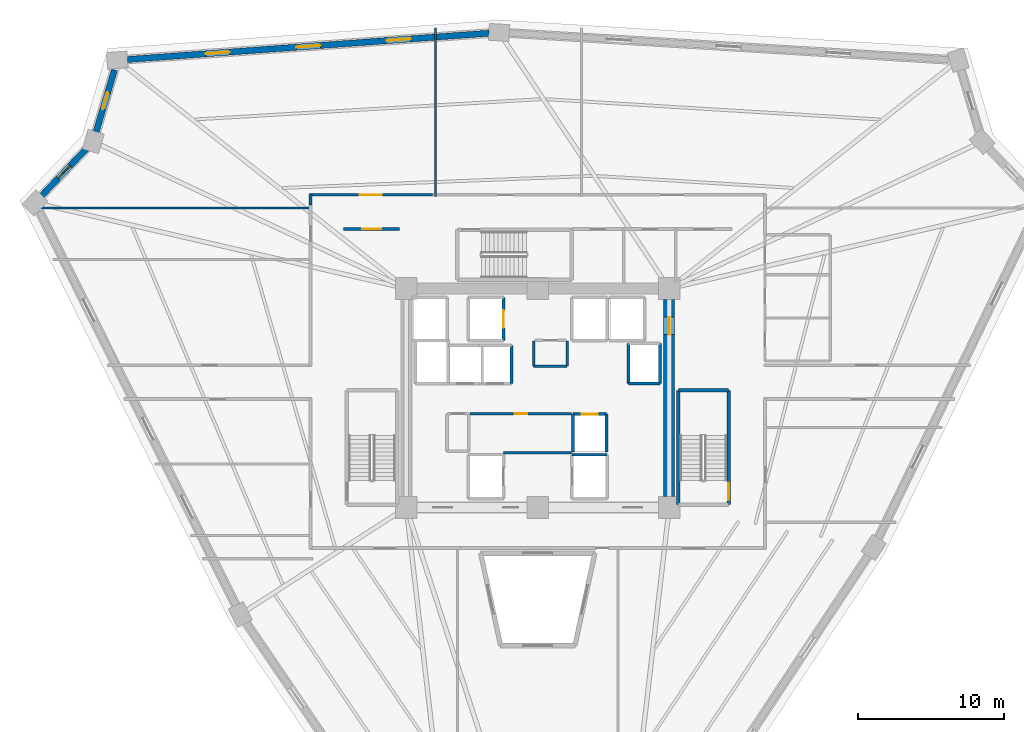
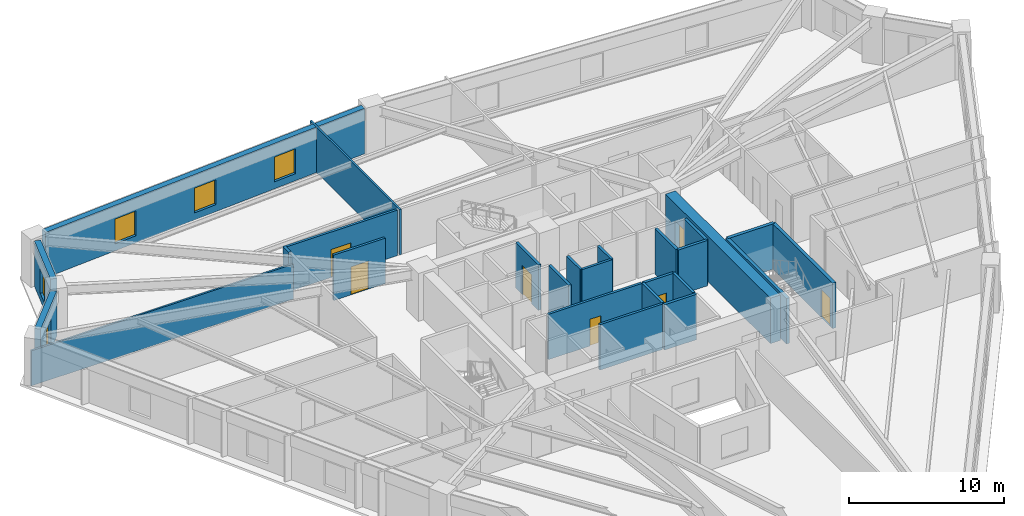
# One storey, part 5 of 8: 26 walls, 7 doors, 5 windows, 12 openings.
"""IFC4 building model written with IfcOpenShell, lengths in metres."""

from ifc_helpers import new_model, si_unit, direction, frame, frame_2d, origin, place, context, subcontext, project, spatial, rectangle, extrude, source, transform, mapped, material, layer, layer_set, type_object, element, fill, save


model = new_model("IFC4")

# Units and contexts
model_context = context("Model", 3, precision=1e-05, world=origin(), true_north=direction((0.0, 1.0)))
body_context = subcontext(model_context, "Body", "Model", "MODEL_VIEW")
ifc_project = project(units=[si_unit("LENGTHUNIT", "METRE"), si_unit("AREAUNIT", "SQUARE_METRE"), si_unit("VOLUMEUNIT", "CUBIC_METRE"), si_unit("PLANEANGLEUNIT", "RADIAN"), si_unit("MASSUNIT", "GRAM", prefix="KILO")], contexts=[model_context])

# Site, building, storey
site_placement = place(None, origin())
site = spatial("IfcSite", under=ifc_project, at=site_placement, CompositionType="ELEMENT")
building_placement = place(site_placement, origin())
building = spatial("IfcBuilding", under=site, at=building_placement, Name="Liaohun Quay Tower", CompositionType="ELEMENT")
storey_placement = place(building_placement, frame((0.0, 0.0, 177.75)))
storey = spatial("IfcBuildingStorey", under=building, at=storey_placement, Name="L46", CompositionType="ELEMENT", Elevation=177.75)

# Wall, opening, door
ifc_material_1 = material(Name="Concrete C60", Category="concrete")
ifc_layer_1 = layer(ifc_material_1, 0.75, Name="Concrete C60", Category="concrete")
ifc_layer_set_1 = layer_set([ifc_layer_1], Name="Concrete C60")
wall_type_1 = type_object("IfcWallType", Name="WAL-COR-Z2", PredefinedType="SHEAR", material=ifc_layer_set_1)
wall_1_placement = place(storey_placement, frame((69.0, 60.75, 0.0), z_axis=(0.0, 0.0, 1.0), x_axis=(0.0, -1.0, 0.0)))
wall_1 = element("IfcWall", 1, at=wall_1_placement, inside=storey, type_object=wall_type_1, Name="L46 Central Core Shear Wall E", PredefinedType="SHEAR", context=body_context, shape_type="SweptSolid", body=[
    extrude(rectangle(XDim=13.5, YDim=0.75, at=frame_2d((6.75, 0.0))), origin(), (0.0, 0.0, 1.0), 3.570068359375),
])
shared_shape_1 = source(origin(), body_context, "Body", "SweptSolid", [
    extrude(rectangle(XDim=1.199951171875, YDim=2.199951171875, at=frame_2d((0.60009765625, 1.10009765625))), frame((0.0, 0.385009765625, 0.0), z_axis=(0.0, -1.0, 0.0), x_axis=(1.0, 0.0, 0.0)), (0.0, 0.0, 1.0), 0.77001953125),
])
opening_1_placement = place(wall_1_placement, frame((1.199951171875, 0.0, 0.0)))
opening_1 = element("IfcOpeningElement", 2, at=opening_1_placement, cuts=wall_1, Name="Opening SD1", PredefinedType="OPENING", context=body_context, shape_type="MappedRepresentation", body=[
    mapped(shared_shape_1, transform((0.0, 0.0, 0.0), x_axis=(1.0, 0.0, 0.0), y_axis=(0.0, 1.0, 0.0), z_axis=(0.0, 0.0, 1.0), scale=1.0)),
])
ifc_material_2 = material(Name="Galvanised steel fire door", Category="steel")
door_type_1 = type_object("IfcDoorType", Name="DOR-STR-1200", OperationType="NOTDEFINED", PredefinedType="DOOR", material=ifc_material_2)
shared_shape_2 = source(origin(), body_context, "Body", "SweptSolid", [
    extrude(rectangle(XDim=1.199951171875, YDim=2.199951171875, at=frame_2d((0.60009765625, 1.10009765625))), frame((0.0, 0.02490234375, 0.0), z_axis=(0.0, -1.0, 0.0), x_axis=(1.0, 0.0, 0.0)), (0.0, 0.0, 1.0), 0.050048828125),
])
door_1_placement = place(opening_1_placement, origin())
door_1 = element("IfcDoor", 3, at=door_1_placement, inside=storey, type_object=door_type_1, Name="L46 North-East Core Lobby Smokeproof Door", OperationType="SINGLE_SWING_LEFT", OverallHeight=2.199951171875, OverallWidth=1.199951171875, PredefinedType="DOOR", context=body_context, shape_type="MappedRepresentation", body=[
    mapped(shared_shape_2, transform((0.0, 0.0, 0.0), x_axis=(1.0, 0.0, 0.0), y_axis=(0.0, 1.0, 0.0), z_axis=(0.0, 0.0, 1.0), scale=1.0)),
])
fill(opening_1, door_1)

# Wall, openings, windows
ifc_material_3 = material(Name="Precast concrete C50 insulated sandwich", Category="concrete")
ifc_layer_2 = layer(ifc_material_3, 0.419921875, Name="Precast concrete C50 insulated sandwich", Category="concrete")
ifc_layer_set_2 = layer_set([ifc_layer_2], Name="Precast concrete C50 insulated sandwich")
wall_type_2 = type_object("IfcWallType", Name="WAL-EXT-Z12", PredefinedType="SOLIDWALL", material=ifc_layer_set_2)
wall_2_placement = place(storey_placement, frame((56.66796875, 78.98291015625, 0.0), z_axis=(0.0, 0.0, 1.0), x_axis=(-0.997363346267, -0.07256965979, 0.0)))
wall_2 = element("IfcWall", 4, at=wall_2_placement, inside=storey, type_object=wall_type_2, Name="L46 Brutalist Precast Pier Wall 07", PredefinedType="SOLIDWALL", context=body_context, shape_type="SweptSolid", body=[
    extrude(rectangle(XDim=24.831298828125, YDim=0.419921875, at=frame_2d((12.41552734375, 0.0))), origin(), (0.0, 0.0, 1.0), 3.570068359375),
])
shared_shape_3 = source(origin(), body_context, "Body", "SweptSolid", [
    extrude(rectangle(XDim=1.64990234375, YDim=1.949951171875, at=frame_2d((0.824951171875, 0.97509765625))), frame((0.0, 0.219970703125, 0.0), z_axis=(0.0, -1.0, 0.0), x_axis=(1.0, 0.0, 0.0)), (0.0, 0.0, 1.0), 0.43994140625),
])
opening_2_placement = place(wall_2_placement, frame((5.383056640625, 0.0, 0.550048828125)))
opening_2 = element("IfcOpeningElement", 5, at=opening_2_placement, cuts=wall_2, Name="Opening W02", PredefinedType="OPENING", context=body_context, shape_type="MappedRepresentation", body=[
    mapped(shared_shape_3, transform((0.0, 0.0, 0.0), x_axis=(1.0, 0.0, 0.0), y_axis=(0.0, 1.0, 0.0), z_axis=(0.0, 0.0, 1.0), scale=1.0)),
])
opening_3_placement = place(wall_2_placement, frame((11.591064453125, 0.0, 0.550048828125)))
opening_3 = element("IfcOpeningElement", 6, at=opening_3_placement, cuts=wall_2, Name="Opening W02", PredefinedType="OPENING", context=body_context, shape_type="MappedRepresentation", body=[
    mapped(shared_shape_3, transform((0.0, 0.0, 0.0), x_axis=(1.0, 0.0, 0.0), y_axis=(0.0, 1.0, 0.0), z_axis=(0.0, 0.0, 1.0), scale=1.0)),
])
opening_4_placement = place(wall_2_placement, frame((17.799072265625, 0.0, 0.550048828125)))
opening_4 = element("IfcOpeningElement", 7, at=opening_4_placement, cuts=wall_2, Name="Opening W02", PredefinedType="OPENING", context=body_context, shape_type="MappedRepresentation", body=[
    mapped(shared_shape_3, transform((0.0, 0.0, 0.0), x_axis=(1.0, 0.0, 0.0), y_axis=(0.0, 1.0, 0.0), z_axis=(0.0, 0.0, 1.0), scale=1.0)),
])
ifc_material_4 = material(Name="Triple Low-E argon glazing in thermally broken aluminium", Category="aluminium")
window_type_1 = type_object("IfcWindowType", Name="WIN-PUN-Z2", PartitioningType="DOUBLE_PANEL_VERTICAL", PredefinedType="WINDOW", material=ifc_material_4)
shared_shape_4 = source(origin(), body_context, "Body", "SweptSolid", [
    extrude(rectangle(XDim=1.64990234375, YDim=1.949951171875, at=frame_2d((0.824951171875, 0.97509765625))), frame((0.0, 0.030029296875, 0.0), z_axis=(0.0, -1.0, 0.0), x_axis=(1.0, 0.0, 0.0)), (0.0, 0.0, 1.0), 0.06005859375),
])
window_1_placement = place(opening_2_placement, origin())
window_1 = element("IfcWindow", 8, at=window_1_placement, inside=storey, type_object=window_type_1, Name="L46 Recessed Cold-Climate Punched Window 07-1", OverallHeight=1.949951171875, OverallWidth=1.64990234375, PartitioningType="DOUBLE_PANEL_VERTICAL", PredefinedType="WINDOW", context=body_context, shape_type="MappedRepresentation", body=[
    mapped(shared_shape_4, transform((0.0, 0.0, 0.0), x_axis=(1.0, 0.0, 0.0), y_axis=(0.0, 1.0, 0.0), z_axis=(0.0, 0.0, 1.0), scale=1.0)),
])
fill(opening_2, window_1)
window_2_placement = place(opening_3_placement, origin())
window_2 = element("IfcWindow", 9, at=window_2_placement, inside=storey, type_object=window_type_1, Name="L46 Recessed Cold-Climate Punched Window 07-2", OverallHeight=1.949951171875, OverallWidth=1.64990234375, PartitioningType="DOUBLE_PANEL_VERTICAL", PredefinedType="WINDOW", context=body_context, shape_type="MappedRepresentation", body=[
    mapped(shared_shape_4, transform((0.0, 0.0, 0.0), x_axis=(1.0, 0.0, 0.0), y_axis=(0.0, 1.0, 0.0), z_axis=(0.0, 0.0, 1.0), scale=1.0)),
])
fill(opening_3, window_2)
window_3_placement = place(opening_4_placement, origin())
window_3 = element("IfcWindow", 10, at=window_3_placement, inside=storey, type_object=window_type_1, Name="L46 Recessed Cold-Climate Punched Window 07-3", OverallHeight=1.949951171875, OverallWidth=1.64990234375, PartitioningType="DOUBLE_PANEL_VERTICAL", PredefinedType="WINDOW", context=body_context, shape_type="MappedRepresentation", body=[
    mapped(shared_shape_4, transform((0.0, 0.0, 0.0), x_axis=(1.0, 0.0, 0.0), y_axis=(0.0, 1.0, 0.0), z_axis=(0.0, 0.0, 1.0), scale=1.0)),
])
fill(opening_4, window_3)

# Wall, opening, window
wall_3_placement = place(storey_placement, frame((31.01904296875, 76.468994140625, 0.0), z_axis=(0.0, 0.0, 1.0), x_axis=(-0.282982489087, -0.959125075717, 0.0)))
wall_3 = element("IfcWall", 11, at=wall_3_placement, inside=storey, type_object=wall_type_2, Name="L46 Brutalist Precast Pier Wall 08", PredefinedType="SOLIDWALL", context=body_context, shape_type="SweptSolid", body=[
    extrude(rectangle(XDim=4.420654296875, YDim=0.419921875, at=frame_2d((2.21044921875, 0.0))), origin(), (0.0, 0.0, 1.0), 3.570068359375),
])
shared_shape_5 = source(origin(), body_context, "Body", "SweptSolid", [
    extrude(rectangle(XDim=1.199951171875, YDim=1.89990234375, at=frame_2d((0.60009765625, 0.949951171875))), frame((0.0, 0.219970703125, 0.0), z_axis=(0.0, -1.0, 0.0), x_axis=(1.0, 0.0, 0.0)), (0.0, 0.0, 1.0), 0.43994140625),
])
opening_5_placement = place(wall_3_placement, frame((1.610107421875, 0.0, 0.550048828125)))
opening_5 = element("IfcOpeningElement", 12, at=opening_5_placement, cuts=wall_3, Name="Opening W05", PredefinedType="OPENING", context=body_context, shape_type="MappedRepresentation", body=[
    mapped(shared_shape_5, transform((0.0, 0.0, 0.0), x_axis=(1.0, 0.0, 0.0), y_axis=(0.0, 1.0, 0.0), z_axis=(0.0, 0.0, 1.0), scale=1.0)),
])
ifc_material_5 = material(Name="Triple Low-E corner notch glazing", Category="glass")
window_type_2 = type_object("IfcWindowType", Name="WIN-NOTCH", PartitioningType="SINGLE_PANEL", PredefinedType="WINDOW", material=ifc_material_5)
shared_shape_6 = source(origin(), body_context, "Body", "SweptSolid", [
    extrude(rectangle(XDim=1.199951171875, YDim=1.89990234375, at=frame_2d((0.60009765625, 0.949951171875))), frame((0.0, 0.030029296875, 0.0), z_axis=(0.0, -1.0, 0.0), x_axis=(1.0, 0.0, 0.0)), (0.0, 0.0, 1.0), 0.06005859375),
])
window_4_placement = place(opening_5_placement, origin())
window_4 = element("IfcWindow", 13, at=window_4_placement, inside=storey, type_object=window_type_2, Name="L46 Corner Notch Window W05-08", OverallHeight=1.89990234375, OverallWidth=1.199951171875, PartitioningType="SINGLE_PANEL", PredefinedType="WINDOW", context=body_context, shape_type="MappedRepresentation", body=[
    mapped(shared_shape_6, transform((0.0, 0.0, 0.0), x_axis=(1.0, 0.0, 0.0), y_axis=(0.0, 1.0, 0.0), z_axis=(0.0, 0.0, 1.0), scale=1.0)),
])
fill(opening_5, window_4)

wall_4_placement = place(storey_placement, frame((29.096923828125, 71.06689453125, 0.0), z_axis=(0.0, 0.0, 1.0), x_axis=(-0.689235021259, -0.724537842676, 0.0)))
wall_4 = element("IfcWall", 14, at=wall_4_placement, inside=storey, type_object=wall_type_2, Name="L46 Brutalist Precast Pier Wall 09", PredefinedType="SOLIDWALL", context=body_context, shape_type="SweptSolid", body=[
    extrude(rectangle(XDim=4.412109375, YDim=0.419921875, at=frame_2d((2.2060546875, 0.0))), origin(), (0.0, 0.0, 1.0), 3.570068359375),
])
opening_6_placement = place(wall_4_placement, frame((1.60595703125, 0.0, 0.550048828125)))
opening_6 = element("IfcOpeningElement", 15, at=opening_6_placement, cuts=wall_4, Name="Opening W05", PredefinedType="OPENING", context=body_context, shape_type="MappedRepresentation", body=[
    mapped(shared_shape_5, transform((0.0, 0.0, 0.0), x_axis=(1.0, 0.0, 0.0), y_axis=(0.0, 1.0, 0.0), z_axis=(0.0, 0.0, 1.0), scale=1.0)),
])
window_5_placement = place(opening_6_placement, origin())
window_5 = element("IfcWindow", 16, at=window_5_placement, inside=storey, type_object=window_type_2, Name="L46 Corner Notch Window W05-09", OverallHeight=1.89990234375, OverallWidth=1.199951171875, PartitioningType="SINGLE_PANEL", PredefinedType="WINDOW", context=body_context, shape_type="MappedRepresentation", body=[
    mapped(shared_shape_6, transform((0.0, 0.0, 0.0), x_axis=(1.0, 0.0, 0.0), y_axis=(0.0, 1.0, 0.0), z_axis=(0.0, 0.0, 1.0), scale=1.0)),
])
fill(opening_6, window_5)

# Wall, opening, door
ifc_material_6 = material(Name="Autoclaved aerated concrete blockwork", Category="masonry")
ifc_layer_3 = layer(ifc_material_6, 0.179931640625, Name="Autoclaved aerated concrete blockwork", Category="masonry")
ifc_layer_set_3 = layer_set([ifc_layer_3], Name="Autoclaved aerated concrete blockwork")
wall_type_3 = type_object("IfcWallType", Name="WAL-PRT-COR", PredefinedType="PARTITIONING", material=ifc_layer_set_3)
wall_5_placement = place(storey_placement, frame((55.3701171875, 52.919921875, 0.0), z_axis=(0.0, 0.0, 1.0), x_axis=(1.0, 0.0, 0.0)))
wall_5 = element("IfcWall", 17, at=wall_5_placement, inside=storey, type_object=wall_type_3, Name="L46 Interior Partition Wall 001", PredefinedType="PARTITIONING", context=body_context, shape_type="SweptSolid", body=[
    extrude(rectangle(XDim=6.929931640625, YDim=0.179931640625, at=frame_2d((3.46484375, 0.0))), origin(), (0.0, 0.0, 1.0), 3.570068359375),
])
shared_shape_7 = source(origin(), body_context, "Body", "SweptSolid", [
    extrude(rectangle(XDim=0.85009765625, YDim=2.10009765625, at=frame_2d((0.425048828125, 1.050048828125))), frame((0.0, 0.099853515625, 0.0), z_axis=(0.0, -1.0, 0.0), x_axis=(1.0, 0.0, 0.0)), (0.0, 0.0, 1.0), 0.199951171875),
])
opening_7_placement = place(wall_5_placement, frame((3.054931640625, 0.0, 0.0)))
opening_7 = element("IfcOpeningElement", 18, at=opening_7_placement, cuts=wall_5, Name="Opening AD1", PredefinedType="OPENING", context=body_context, shape_type="MappedRepresentation", body=[
    mapped(shared_shape_7, transform((0.0, 0.0, 0.0), x_axis=(1.0, 0.0, 0.0), y_axis=(0.0, 1.0, 0.0), z_axis=(0.0, 0.0, 1.0), scale=1.0)),
])
ifc_material_7 = material(Name="Steel riser inspection fire door", Category="steel")
door_type_2 = type_object("IfcDoorType", Name="DOR-SHF-850", OperationType="NOTDEFINED", PredefinedType="DOOR", material=ifc_material_7)
shared_shape_8 = source(origin(), body_context, "Body", "SweptSolid", [
    extrude(rectangle(XDim=0.85009765625, YDim=2.10009765625, at=frame_2d((0.425048828125, 1.050048828125))), frame((0.0, 0.02490234375, 0.0), z_axis=(0.0, -1.0, 0.0), x_axis=(1.0, 0.0, 0.0)), (0.0, 0.0, 1.0), 0.050048828125),
])
door_2_placement = place(opening_7_placement, origin())
door_2 = element("IfcDoor", 19, at=door_2_placement, inside=storey, type_object=door_type_2, Name="L46 Core Tenant Storage and Archive Room Door", OperationType="SINGLE_SWING_RIGHT", OverallHeight=2.10009765625, OverallWidth=0.85009765625, PredefinedType="DOOR", context=body_context, shape_type="MappedRepresentation", body=[
    mapped(shared_shape_8, transform((0.0, 0.0, 0.0), x_axis=(1.0, 0.0, 0.0), y_axis=(0.0, 1.0, 0.0), z_axis=(0.0, 0.0, 1.0), scale=1.0)),
])
fill(opening_7, door_2)

wall_6_placement = place(storey_placement, frame((46.699951171875, 65.580078125, 0.0), z_axis=(0.0, 0.0, 1.0), x_axis=(1.0, 0.0, 0.0)))
wall_6 = element("IfcWall", 20, at=wall_6_placement, inside=storey, type_object=wall_type_3, Name="L46 Interior Partition Wall 009", PredefinedType="PARTITIONING", context=body_context, shape_type="SweptSolid", body=[
    extrude(rectangle(XDim=3.840087890625, YDim=0.179931640625, at=frame_2d((1.919921875, 0.0))), origin(), (0.0, 0.0, 1.0), 3.570068359375),
])
shared_shape_9 = source(origin(), body_context, "Body", "SweptSolid", [
    extrude(rectangle(XDim=1.300048828125, YDim=2.199951171875, at=frame_2d((0.64990234375, 1.10009765625))), frame((0.0, 0.099853515625, 0.0), z_axis=(0.0, -1.0, 0.0), x_axis=(1.0, 0.0, 0.0)), (0.0, 0.0, 1.0), 0.199951171875),
])
opening_8_placement = place(wall_6_placement, frame((1.27001953125, 0.0, 0.0)))
opening_8 = element("IfcOpeningElement", 21, at=opening_8_placement, cuts=wall_6, Name="Opening FD1", PredefinedType="OPENING", context=body_context, shape_type="MappedRepresentation", body=[
    mapped(shared_shape_9, transform((0.0, 0.0, 0.0), x_axis=(1.0, 0.0, 0.0), y_axis=(0.0, 1.0, 0.0), z_axis=(0.0, 0.0, 1.0), scale=1.0)),
])
ifc_material_8 = material(Name="Galvanised steel smokeproof fire door", Category="steel")
door_type_3 = type_object("IfcDoorType", Name="DOR-FFL-1300", OperationType="NOTDEFINED", PredefinedType="DOOR", material=ifc_material_8)
shared_shape_10 = source(origin(), body_context, "Body", "SweptSolid", [
    extrude(rectangle(XDim=1.300048828125, YDim=2.199951171875, at=frame_2d((0.64990234375, 1.10009765625))), frame((0.0, 0.02490234375, 0.0), z_axis=(0.0, -1.0, 0.0), x_axis=(1.0, 0.0, 0.0)), (0.0, 0.0, 1.0), 0.050048828125),
])
door_3_placement = place(opening_8_placement, origin())
door_3 = element("IfcDoor", 22, at=door_3_placement, inside=storey, type_object=door_type_3, Name="L46 West Core Vestibule Door", OperationType="SINGLE_SWING_RIGHT", OverallHeight=2.199951171875, OverallWidth=1.300048828125, PredefinedType="DOOR", context=body_context, shape_type="MappedRepresentation", body=[
    mapped(shared_shape_10, transform((0.0, 0.0, 0.0), x_axis=(1.0, 0.0, 0.0), y_axis=(0.0, 1.0, 0.0), z_axis=(0.0, 0.0, 1.0), scale=1.0)),
])
fill(opening_8, door_3)

wall_7_placement = place(storey_placement, frame((44.3701171875, 67.909912109375, 0.0), z_axis=(0.0, 0.0, 1.0), x_axis=(1.0, 0.0, 0.0)))
wall_7 = element("IfcWall", 23, at=wall_7_placement, inside=storey, type_object=wall_type_3, Name="L46 Interior Partition Wall 014", PredefinedType="PARTITIONING", context=body_context, shape_type="SweptSolid", body=[
    extrude(rectangle(XDim=8.414794921875, YDim=0.179931640625, at=frame_2d((4.20751953125, 0.0))), origin(), (0.0, 0.0, 1.0), 3.570068359375),
])
shared_shape_11 = source(origin(), body_context, "Body", "SweptSolid", [
    extrude(rectangle(XDim=1.5, YDim=2.199951171875, at=frame_2d((0.75, 1.10009765625))), frame((0.0, 0.099853515625, 0.0), z_axis=(0.0, -1.0, 0.0), x_axis=(1.0, 0.0, 0.0)), (0.0, 0.0, 1.0), 0.199951171875),
])
opening_9_placement = place(wall_7_placement, frame((3.45703125, 0.0, 0.0)))
opening_9 = element("IfcOpeningElement", 24, at=opening_9_placement, cuts=wall_7, Name="Opening OD2", PredefinedType="OPENING", context=body_context, shape_type="MappedRepresentation", body=[
    mapped(shared_shape_11, transform((0.0, 0.0, 0.0), x_axis=(1.0, 0.0, 0.0), y_axis=(0.0, 1.0, 0.0), z_axis=(0.0, 0.0, 1.0), scale=1.0)),
])
ifc_material_9 = material(Name="Acoustic oak veneer double door")
door_type_4 = type_object("IfcDoorType", Name="DOR-OFF-1500", OperationType="DOUBLE_DOOR_SINGLE_SWING", PredefinedType="DOOR", material=ifc_material_9)
shared_shape_12 = source(origin(), body_context, "Body", "SweptSolid", [
    extrude(rectangle(XDim=1.5, YDim=2.199951171875, at=frame_2d((0.75, 1.10009765625))), frame((0.0, 0.02490234375, 0.0), z_axis=(0.0, -1.0, 0.0), x_axis=(1.0, 0.0, 0.0)), (0.0, 0.0, 1.0), 0.050048828125),
])
door_4_placement = place(opening_9_placement, origin())
door_4 = element("IfcDoor", 25, at=door_4_placement, inside=storey, type_object=door_type_4, Name="L46 Project Collaboration Studio 04 Door", OperationType="DOUBLE_DOOR_SINGLE_SWING", OverallHeight=2.199951171875, OverallWidth=1.5, PredefinedType="DOOR", context=body_context, shape_type="MappedRepresentation", body=[
    mapped(shared_shape_12, transform((0.0, 0.0, 0.0), x_axis=(1.0, 0.0, 0.0), y_axis=(0.0, 1.0, 0.0), z_axis=(0.0, 0.0, 1.0), scale=1.0)),
])
fill(opening_9, door_4)

# Walls
for number, where, z_axis, x_axis, name in (
    (26, (59.719970703125, 56.179931640625, 0.0), (0.0, 0.0, 1.0), (0.0, 1.0, 0.0), "L46 Interior Partition Wall 024"),
    (27, (62.010009765625, 56.179931640625, 0.0), (0.0, 0.0, 1.0), (0.0, 1.0, 0.0), "L46 Interior Partition Wall 025"),
):
    element("IfcWall", number, at=place(storey_placement, frame(where, z_axis=z_axis, x_axis=x_axis)), inside=storey, type_object=wall_type_3, Name=name, PredefinedType="PARTITIONING", context=body_context, shape_type="SweptSolid", body=[
        extrude(rectangle(XDim=1.739990234375, YDim=0.179931640625, at=frame_2d((0.8701171875, 0.0))), origin(), (0.0, 0.0, 1.0), 3.570068359375),
    ])
wall_8_placement = place(storey_placement, frame((59.719970703125, 56.179931640625, 0.0), z_axis=(0.0, 0.0, 1.0), x_axis=(1.0, 0.0, 0.0)))
element("IfcWall", 28, at=wall_8_placement, inside=storey, type_object=wall_type_3, Name="L46 Interior Partition Wall 026", PredefinedType="PARTITIONING", context=body_context, shape_type="SweptSolid", body=[
    extrude(rectangle(XDim=2.2900390625, YDim=0.179931640625, at=frame_2d((1.14501953125, 0.0))), origin(), (0.0, 0.0, 1.0), 3.570068359375),
])
wall_9_placement = place(storey_placement, frame((44.43994140625, 67.215087890625, 0.0), z_axis=(0.0, 0.0, 1.0), x_axis=(0.0, 1.0, 0.0)))
element("IfcWall", 29, at=wall_9_placement, inside=storey, type_object=wall_type_3, Name="L46 Interior Partition Wall 039", PredefinedType="PARTITIONING", context=body_context, shape_type="SweptSolid", body=[
    extrude(rectangle(XDim=0.764892578125, YDim=0.179931640625, at=frame_2d((0.38232421875, 0.0))), origin(), (0.0, 0.0, 1.0), 3.570068359375),
])
wall_10_placement = place(storey_placement, frame((57.64990234375, 50.25, 0.0), z_axis=(0.0, 0.0, 1.0), x_axis=(1.0, 0.0, 0.0)))
element("IfcWall", 30, at=wall_10_placement, inside=storey, type_object=wall_type_3, Name="L46 Interior Partition Wall 057", PredefinedType="PARTITIONING", context=body_context, shape_type="SweptSolid", body=[
    extrude(rectangle(XDim=4.650146484375, YDim=0.179931640625, at=frame_2d((2.3251953125, 0.0))), origin(), (0.0, 0.0, 1.0), 3.570068359375),
])
ifc_material_10 = material(Name="Gypsum board on twin steel studs", Category="steel")
ifc_layer_4 = layer(ifc_material_10, 0.139892578125, Name="Gypsum board on twin steel studs", Category="steel")
ifc_layer_set_4 = layer_set([ifc_layer_4], Name="Gypsum board on twin steel studs")
wall_type_4 = type_object("IfcWallType", Name="WAL-PRT-OFF", PredefinedType="PARTITIONING", material=ifc_layer_set_4)
wall_11_placement = place(storey_placement, frame((44.5400390625, 67.0, 0.0), z_axis=(0.0, 0.0, 1.0), x_axis=(-1.0, 0.0, 0.0)))
element("IfcWall", 31, at=wall_11_placement, inside=storey, type_object=wall_type_4, Name="L46 Interior Partition Wall 049", PredefinedType="PARTITIONING", context=body_context, shape_type="SweptSolid", body=[
    extrude(rectangle(XDim=19.47998046875, YDim=0.139892578125, at=frame_2d((9.739990234375, 0.0))), origin(), (0.0, 0.0, 1.0), 2.7548828125),
])
wall_12_placement = place(storey_placement, frame((53.0, 67.81005859375, 0.0), z_axis=(0.0, 0.0, 1.0), x_axis=(0.0, 1.0, 0.0)))
element("IfcWall", 32, at=wall_12_placement, inside=storey, type_object=wall_type_4, Name="L46 Interior Partition Wall 053", PredefinedType="PARTITIONING", context=body_context, shape_type="SweptSolid", body=[
    extrude(rectangle(XDim=11.537841796875, YDim=0.139892578125, at=frame_2d((5.76904296875, 0.0))), origin(), (0.0, 0.0, 1.0), 3.570068359375),
])

# Wall, opening, door
ifc_material_11 = material(Name="Concrete C50", Category="concrete")
ifc_layer_5 = layer(ifc_material_11, 0.239990234375, Name="Concrete C50", Category="concrete")
ifc_layer_set_5 = layer_set([ifc_layer_5], Name="Concrete C50")
wall_type_5 = type_object("IfcWallType", Name="WAL-SHF-200", PredefinedType="SOLIDWALL", material=ifc_layer_set_5)
wall_13_placement = place(storey_placement, frame((73.06005859375, 46.699951171875, 0.0), z_axis=(0.0, 0.0, 1.0), x_axis=(0.0, 1.0, 0.0)))
wall_13 = element("IfcWall", 33, at=wall_13_placement, inside=storey, type_object=wall_type_5, Name="L46 Stairwell ST-2 Structural Core Wall E", PredefinedType="SOLIDWALL", context=body_context, shape_type="SweptSolid", body=[
    extrude(rectangle(XDim=7.820068359375, YDim=0.239990234375, at=frame_2d((3.91015625, 0.0))), origin(), (0.0, 0.0, 1.0), 3.570068359375),
])
shared_shape_13 = source(origin(), body_context, "Body", "SweptSolid", [
    extrude(rectangle(XDim=1.199951171875, YDim=2.199951171875, at=frame_2d((0.60009765625, 1.10009765625))), frame((0.0, 0.1298828125, 0.0), z_axis=(0.0, -1.0, 0.0), x_axis=(1.0, 0.0, 0.0)), (0.0, 0.0, 1.0), 0.260009765625),
])
opening_10_placement = place(wall_13_placement, frame((0.320068359375, 0.0, 0.0)))
opening_10 = element("IfcOpeningElement", 34, at=opening_10_placement, cuts=wall_13, Name="Opening SD1", PredefinedType="OPENING", context=body_context, shape_type="MappedRepresentation", body=[
    mapped(shared_shape_13, transform((0.0, 0.0, 0.0), x_axis=(1.0, 0.0, 0.0), y_axis=(0.0, 1.0, 0.0), z_axis=(0.0, 0.0, 1.0), scale=1.0)),
])
door_5_placement = place(opening_10_placement, origin())
door_5 = element("IfcDoor", 35, at=door_5_placement, inside=storey, type_object=door_type_1, Name="L46 Protected Stair ST-2 Fire Door", OperationType="SINGLE_SWING_RIGHT", OverallHeight=2.199951171875, OverallWidth=1.199951171875, PredefinedType="DOOR", context=body_context, shape_type="MappedRepresentation", body=[
    mapped(shared_shape_2, transform((0.0, 0.0, 0.0), x_axis=(1.0, 0.0, 0.0), y_axis=(0.0, 1.0, 0.0), z_axis=(0.0, 0.0, 1.0), scale=1.0)),
])
fill(opening_10, door_5)

# Walls
wall_14_placement = place(storey_placement, frame((73.06005859375, 54.52001953125, 0.0), z_axis=(0.0, 0.0, 1.0), x_axis=(-1.0, 0.0, 0.0)))
element("IfcWall", 36, at=wall_14_placement, inside=storey, type_object=wall_type_5, Name="L46 Stairwell ST-2 Structural Core Wall N", PredefinedType="SOLIDWALL", context=body_context, shape_type="SweptSolid", body=[
    extrude(rectangle(XDim=3.43994140625, YDim=0.239990234375, at=frame_2d((1.719970703125, 0.0))), origin(), (0.0, 0.0, 1.0), 3.570068359375),
])
wall_15_placement = place(storey_placement, frame((69.6201171875, 54.52001953125, 0.0), z_axis=(0.0, 0.0, 1.0), x_axis=(0.0, -1.0, 0.0)))
element("IfcWall", 37, at=wall_15_placement, inside=storey, type_object=wall_type_5, Name="L46 Stairwell ST-2 Structural Core Wall W", PredefinedType="SOLIDWALL", context=body_context, shape_type="SweptSolid", body=[
    extrude(rectangle(XDim=7.820068359375, YDim=0.239990234375, at=frame_2d((3.91015625, 0.0))), origin(), (0.0, 0.0, 1.0), 3.570068359375),
])
wall_16_placement = place(storey_placement, frame((64.75, 50.1201171875, 0.0), z_axis=(0.0, 0.0, 1.0), x_axis=(-1.0, 0.0, 0.0)))
element("IfcWall", 38, at=wall_16_placement, inside=storey, type_object=wall_type_5, Name="L46 Lift FF-02 Hoistway Wall N", PredefinedType="SOLIDWALL", context=body_context, shape_type="SweptSolid", body=[
    extrude(rectangle(XDim=2.39990234375, YDim=0.199951171875, at=frame_2d((1.199951171875, 0.0))), origin(), (0.0, 0.0, 1.0), 3.570068359375),
])

# Wall, opening, door
wall_17_placement = place(storey_placement, frame((57.64990234375, 57.949951171875, 0.0), z_axis=(0.0, 0.0, 1.0), x_axis=(0.0, 1.0, 0.0)))
wall_17 = element("IfcWall", 39, at=wall_17_placement, inside=storey, type_object=wall_type_5, Name="L46 Lift FF-03 Hoistway Wall E", PredefinedType="SOLIDWALL", context=body_context, shape_type="SweptSolid", body=[
    extrude(rectangle(XDim=2.929931640625, YDim=0.199951171875, at=frame_2d((1.46484375, 0.0))), origin(), (0.0, 0.0, 1.0), 3.570068359375),
])
shared_shape_14 = source(origin(), body_context, "Body", "SweptSolid", [
    extrude(rectangle(XDim=1.199951171875, YDim=2.300048828125, at=frame_2d((0.60009765625, 1.14990234375))), frame((0.0, 0.10986328125, 0.0), z_axis=(0.0, -1.0, 0.0), x_axis=(1.0, 0.0, 0.0)), (0.0, 0.0, 1.0), 0.219970703125),
])
opening_11_placement = place(wall_17_placement, frame((0.864990234375, 0.0, 0.0)))
opening_11 = element("IfcOpeningElement", 40, at=opening_11_placement, cuts=wall_17, Name="Opening LD2", PredefinedType="OPENING", context=body_context, shape_type="MappedRepresentation", body=[
    mapped(shared_shape_14, transform((0.0, 0.0, 0.0), x_axis=(1.0, 0.0, 0.0), y_axis=(0.0, 1.0, 0.0), z_axis=(0.0, 0.0, 1.0), scale=1.0)),
])
ifc_material_12 = material(Name="Brushed stainless steel stretcher landing door", Category="steel")
door_type_5 = type_object("IfcDoorType", Name="DOR-LFT-1200", OperationType="SLIDING_TO_LEFT", PredefinedType="DOOR", material=ifc_material_12)
shared_shape_15 = source(origin(), body_context, "Body", "SweptSolid", [
    extrude(rectangle(XDim=1.199951171875, YDim=2.300048828125, at=frame_2d((0.60009765625, 1.14990234375))), frame((0.0, 0.02490234375, 0.0), z_axis=(0.0, -1.0, 0.0), x_axis=(1.0, 0.0, 0.0)), (0.0, 0.0, 1.0), 0.050048828125),
])
door_6_placement = place(opening_11_placement, origin())
door_6 = element("IfcDoor", 41, at=door_6_placement, inside=storey, type_object=door_type_5, Name="L46 Lift FF-03 Sliding Landing Door", OperationType="SLIDING_TO_LEFT", OverallHeight=2.300048828125, OverallWidth=1.199951171875, PredefinedType="DOOR", context=body_context, shape_type="MappedRepresentation", body=[
    mapped(shared_shape_15, transform((0.0, 0.0, 0.0), x_axis=(1.0, 0.0, 0.0), y_axis=(0.0, 1.0, 0.0), z_axis=(0.0, 0.0, 1.0), scale=1.0)),
])
fill(opening_11, door_6)

# Walls
wall_18_placement = place(storey_placement, frame((66.199951171875, 55.0, 0.0), z_axis=(0.0, 0.0, 1.0), x_axis=(1.0, 0.0, 0.0)))
element("IfcWall", 42, at=wall_18_placement, inside=storey, type_object=wall_type_5, Name="L46 Lift SH-03 Hoistway Wall S", PredefinedType="SOLIDWALL", context=body_context, shape_type="SweptSolid", body=[
    extrude(rectangle(XDim=2.179931640625, YDim=0.199951171875, at=frame_2d((1.08984375, 0.0))), origin(), (0.0, 0.0, 1.0), 3.570068359375),
])
for number, where, z_axis, x_axis, name in (
    (43, (68.3798828125, 55.0, 0.0), (0.0, 0.0, 1.0), (0.0, 1.0, 0.0), "L46 Lift SH-03 Hoistway Wall E"),
    (44, (66.199951171875, 57.75, 0.0), (0.0, 0.0, 1.0), (0.0, -1.0, 0.0), "L46 Lift SH-03 Hoistway Wall W"),
):
    element("IfcWall", number, at=place(storey_placement, frame(where, z_axis=z_axis, x_axis=x_axis)), inside=storey, type_object=wall_type_5, Name=name, PredefinedType="SOLIDWALL", context=body_context, shape_type="SweptSolid", body=[
        extrude(rectangle(XDim=2.75, YDim=0.199951171875, at=frame_2d((1.375, 0.0))), origin(), (0.0, 0.0, 1.0), 3.570068359375),
    ])
wall_19_placement = place(storey_placement, frame((64.699951171875, 50.300048828125, 0.0), z_axis=(0.0, 0.0, 1.0), x_axis=(0.0, 1.0, 0.0)))
element("IfcWall", 45, at=wall_19_placement, inside=storey, type_object=wall_type_5, Name="L46 Lift PL-2A Hoistway Wall E", PredefinedType="SOLIDWALL", context=body_context, shape_type="SweptSolid", body=[
    extrude(rectangle(XDim=2.599853515625, YDim=0.199951171875, at=frame_2d((1.2998046875, 0.0))), origin(), (0.0, 0.0, 1.0), 3.570068359375),
])

# Wall, opening, door
wall_20_placement = place(storey_placement, frame((64.699951171875, 52.89990234375, 0.0), z_axis=(0.0, 0.0, 1.0), x_axis=(-1.0, 0.0, 0.0)))
wall_20 = element("IfcWall", 46, at=wall_20_placement, inside=storey, type_object=wall_type_5, Name="L46 Lift PL-2A Hoistway Wall N", PredefinedType="SOLIDWALL", context=body_context, shape_type="SweptSolid", body=[
    extrude(rectangle(XDim=2.300048828125, YDim=0.199951171875, at=frame_2d((1.14990234375, 0.0))), origin(), (0.0, 0.0, 1.0), 3.570068359375),
])
shared_shape_16 = source(origin(), body_context, "Body", "SweptSolid", [
    extrude(rectangle(XDim=1.10009765625, YDim=2.199951171875, at=frame_2d((0.550048828125, 1.10009765625))), frame((0.0, 0.10986328125, 0.0), z_axis=(0.0, -1.0, 0.0), x_axis=(1.0, 0.0, 0.0)), (0.0, 0.0, 1.0), 0.219970703125),
])
opening_12_placement = place(wall_20_placement, frame((0.60009765625, 0.0, 0.0)))
opening_12 = element("IfcOpeningElement", 47, at=opening_12_placement, cuts=wall_20, Name="Opening LD1", PredefinedType="OPENING", context=body_context, shape_type="MappedRepresentation", body=[
    mapped(shared_shape_16, transform((0.0, 0.0, 0.0), x_axis=(1.0, 0.0, 0.0), y_axis=(0.0, 1.0, 0.0), z_axis=(0.0, 0.0, 1.0), scale=1.0)),
])
ifc_material_13 = material(Name="Brushed stainless steel landing door", Category="steel")
door_type_6 = type_object("IfcDoorType", Name="DOR-LFT-1100", OperationType="SLIDING_TO_LEFT", PredefinedType="DOOR", material=ifc_material_13)
shared_shape_17 = source(origin(), body_context, "Body", "SweptSolid", [
    extrude(rectangle(XDim=1.10009765625, YDim=2.199951171875, at=frame_2d((0.550048828125, 1.10009765625))), frame((0.0, 0.02490234375, 0.0), z_axis=(0.0, -1.0, 0.0), x_axis=(1.0, 0.0, 0.0)), (0.0, 0.0, 1.0), 0.050048828125),
])
door_7_placement = place(opening_12_placement, origin())
door_7 = element("IfcDoor", 48, at=door_7_placement, inside=storey, type_object=door_type_6, Name="L46 Lift PL-2A Sliding Landing Door", OperationType="SLIDING_TO_LEFT", OverallHeight=2.199951171875, OverallWidth=1.10009765625, PredefinedType="DOOR", context=body_context, shape_type="MappedRepresentation", body=[
    mapped(shared_shape_17, transform((0.0, 0.0, 0.0), x_axis=(1.0, 0.0, 0.0), y_axis=(0.0, 1.0, 0.0), z_axis=(0.0, 0.0, 1.0), scale=1.0)),
])
fill(opening_12, door_7)

# Walls
wall_21_placement = place(storey_placement, frame((62.39990234375, 52.89990234375, 0.0), z_axis=(0.0, 0.0, 1.0), x_axis=(0.0, -1.0, 0.0)))
element("IfcWall", 49, at=wall_21_placement, inside=storey, type_object=wall_type_5, Name="L46 Lift PL-2A Hoistway Wall W", PredefinedType="SOLIDWALL", context=body_context, shape_type="SweptSolid", body=[
    extrude(rectangle(XDim=2.599853515625, YDim=0.199951171875, at=frame_2d((1.2998046875, 0.0))), origin(), (0.0, 0.0, 1.0), 3.570068359375),
])
wall_22_placement = place(storey_placement, frame((58.199951171875, 55.0, 0.0), z_axis=(0.0, 0.0, 1.0), x_axis=(0.0, 1.0, 0.0)))
element("IfcWall", 50, at=wall_22_placement, inside=storey, type_object=wall_type_5, Name="L46 Lift PL-2C Hoistway Wall E", PredefinedType="SOLIDWALL", context=body_context, shape_type="SweptSolid", body=[
    extrude(rectangle(XDim=2.60009765625, YDim=0.199951171875, at=frame_2d((1.300048828125, 0.0))), origin(), (0.0, 0.0, 1.0), 3.570068359375),
])

save(model, "model.ifc")
